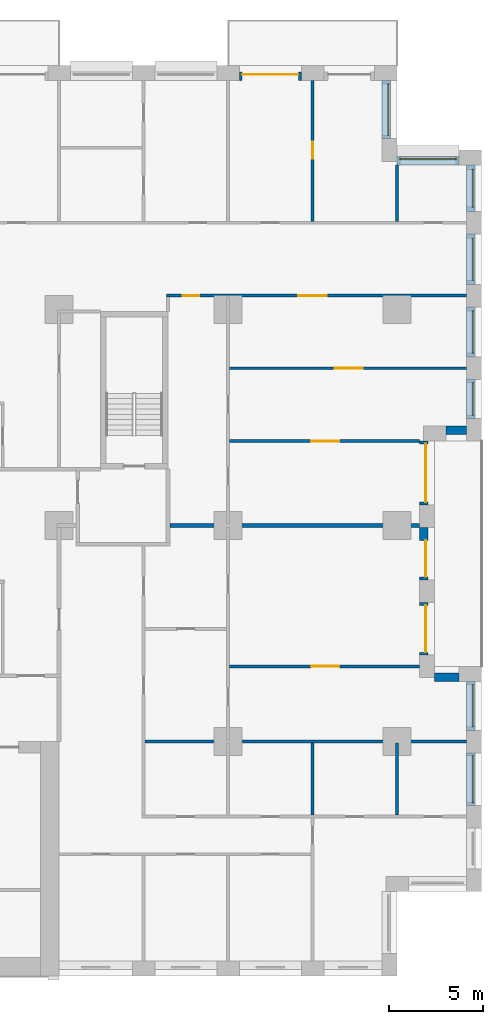
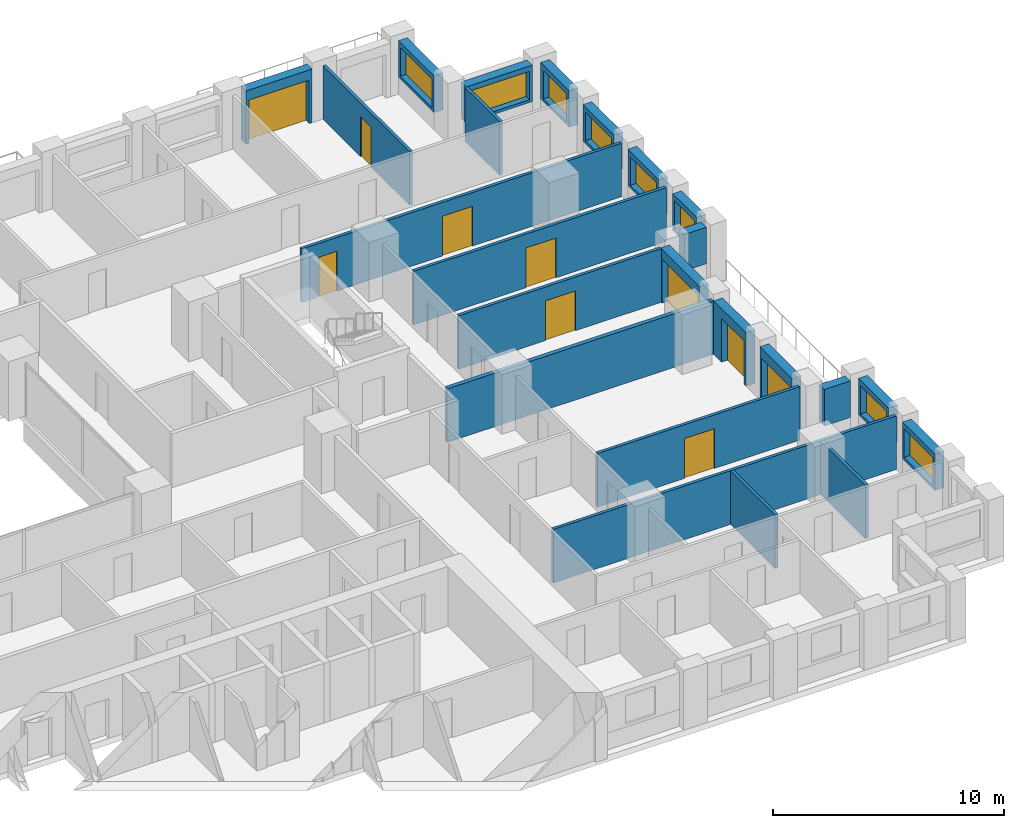
# One storey, part 16 of 19: 24 walls, 10 doors, 8 windows, 18 openings.
"""IFC4 building model written with IfcOpenShell, lengths in metres."""

import ifcopenshell
import ifcopenshell.guid

model = None  # the IFC model being written
_history = None  # IfcOwnerHistory: only IFC2X3 demands one
_inside = {}  # id of a spatial element -> (the spatial element, [elements in it])
_under = {}  # id of a project, library or spatial element -> (it, [spatial elements below it])
_declared = {}  # id of a project -> (the project, [libraries it declares])
_typed = {}  # id of a type object -> (the type object, [elements of that type])
_made_of = {}  # id of a material, layer set ... -> (it, [elements and type objects made of it])


def new_model(schema):
    """Start an empty IFC model of exactly this schema.

    Asked for "IFC4X3", IfcOpenShell would pick the latest addendum, in which some entities
    have other attributes; the version numbers below select the first issue.
    IFC2X3 requires an IfcOwnerHistory on every rooted entity: one is made here for all.
    """
    global model, _history
    if schema == "IFC4X3":
        model = ifcopenshell.file(schema_version=(4, 3, 0, 0))
    else:
        model = ifcopenshell.file(schema=schema)
    _inside.clear()
    _under.clear()
    _declared.clear()
    _typed.clear()
    _made_of.clear()
    _history = None
    if model.schema == "IFC2X3":
        org = make("IfcOrganization", Name="unknown")
        user = make(
            "IfcPersonAndOrganization",
            ThePerson=make("IfcPerson", FamilyName="unknown"),
            TheOrganization=org,
        )
        app = make(
            "IfcApplication",
            ApplicationDeveloper=org,
            Version="unknown",
            ApplicationFullName="unknown",
            ApplicationIdentifier="unknown",
        )
        _history = make(
            "IfcOwnerHistory",
            OwningUser=user,
            OwningApplication=app,
            ChangeAction="ADDED",
            CreationDate=0,
        )
    return model


def make(cls, **values):
    """One entity of the class cls with the attributes given. An attribute that is None is left unset."""
    return model.create_entity(
        cls, **{name: value for name, value in values.items() if value is not None}
    )


def rooted(cls, **values):
    """An entity with a GlobalId (a new one), such as an element, a storey or a relation."""
    return make(cls, GlobalId=ifcopenshell.guid.new(), OwnerHistory=_history, **values)


def si_unit(unit_type, name, prefix=None):
    """IfcSIUnit, for example si_unit("LENGTHUNIT", "METRE", prefix="MILLI")."""
    return make("IfcSIUnit", UnitType=unit_type, Prefix=prefix, Name=name)


def assignment(units):
    """IfcUnitAssignment: the units of a project."""
    return None if units is None else make("IfcUnitAssignment", Units=units)


def point(xyz):
    """IfcCartesianPoint."""
    return None if xyz is None else make("IfcCartesianPoint", Coordinates=xyz)


def direction(xyz):
    """IfcDirection."""
    return None if xyz is None else make("IfcDirection", DirectionRatios=xyz)


def frame(location, z_axis=None, x_axis=None):
    """IfcAxis2Placement3D, a coordinate frame: its origin and axes. An axis left out is left unset."""
    return make(
        "IfcAxis2Placement3D",
        Location=point(location),
        Axis=direction(z_axis),
        RefDirection=direction(x_axis),
    )


def frame_2d(location, x_axis=None):
    """IfcAxis2Placement2D, a coordinate frame in the plane: its origin and x axis."""
    return make(
        "IfcAxis2Placement2D", Location=point(location), RefDirection=direction(x_axis)
    )


def origin():
    """The frame at (0, 0, 0) with its axes left unset."""
    return frame((0.0, 0.0, 0.0))


def place(relative_to, where):
    """IfcLocalPlacement: puts the frame where relative to a parent placement (None: the world)."""
    return make(
        "IfcLocalPlacement", PlacementRelTo=relative_to, RelativePlacement=where
    )


def context(
    kind, dimensions, precision=None, world=None, true_north=None, identifier=None
):
    """IfcGeometricRepresentationContext, for example the 3D "Model" context."""
    return make(
        "IfcGeometricRepresentationContext",
        ContextIdentifier=identifier,
        ContextType=kind,
        CoordinateSpaceDimension=dimensions,
        Precision=precision,
        WorldCoordinateSystem=world,
        TrueNorth=true_north,
    )


def subcontext(parent, identifier, kind, view, scale=None):
    """IfcGeometricRepresentationSubContext, for example "Body" below "Model"."""
    return make(
        "IfcGeometricRepresentationSubContext",
        ContextIdentifier=identifier,
        ContextType=kind,
        ParentContext=parent,
        TargetScale=scale,
        TargetView=view,
    )


def project(units=None, contexts=None):
    """IfcProject with its units and contexts."""
    return rooted(
        "IfcProject",
        Name="project",
        RepresentationContexts=contexts,
        UnitsInContext=assignment(units),
    )


def spatial(cls, under=None, at=None, **own):
    """A site, building, storey or space (cls), placed at a placement, below another one or the project."""
    s = rooted(cls, ObjectPlacement=at, **own)
    if under is not None:
        _under.setdefault(under.id(), (under, []))[1].append(s)
    return s


def profile(cls, at=None, kind="AREA", **sizes):
    """A parametric profile (cls). Its sizes go by their IFC names, for example OverallWidth=200.0."""
    return make(cls, ProfileType=kind, Position=at, **sizes)


def rectangle(**sizes):
    """IfcRectangleProfileDef."""
    return profile("IfcRectangleProfileDef", **sizes)


def extrude(swept, where, along, depth):
    """IfcExtrudedAreaSolid: the profile swept, set in the frame where, extruded along a direction by depth."""
    return make(
        "IfcExtrudedAreaSolid",
        SweptArea=swept,
        Position=where,
        ExtrudedDirection=direction(along),
        Depth=depth,
    )


def shape(context_of_items, identifier, shape_type, items):
    """IfcShapeRepresentation: the items that make up one representation, for example the "Body"."""
    return make(
        "IfcShapeRepresentation",
        ContextOfItems=context_of_items,
        RepresentationIdentifier=identifier,
        RepresentationType=shape_type,
        Items=items,
    )


def material(Name=None, Category=None):
    """IfcMaterial."""
    return make("IfcMaterial", Name=Name, Category=Category)


def layer(
    of_material, thickness, ventilated=None, Name=None, Category=None, Priority=None
):
    """IfcMaterialLayer: one layer of a wall or slab, of a material (None: an air gap)."""
    return make(
        "IfcMaterialLayer",
        Material=of_material,
        LayerThickness=thickness,
        IsVentilated=ventilated,
        Name=Name,
        Category=Category,
        Priority=Priority,
    )


def layer_set(layers, Name=None):
    """IfcMaterialLayerSet."""
    return make("IfcMaterialLayerSet", MaterialLayers=layers, LayerSetName=Name)


def made_of(thing, what):
    """Note that an element or type object is made of a material, layer set ...; save() writes the relation."""
    if what is not None:
        _made_of.setdefault(what.id(), (what, []))[1].append(thing)
    return thing


def type_object(cls, material=None, **own):
    """A type object (cls), such as IfcWallType, which elements share."""
    return made_of(rooted(cls, **own), material)


def element(
    cls,
    number,
    at=None,
    inside=None,
    cuts=None,
    type_object=None,
    material=None,
    context=None,
    identifier="Body",
    shape_type=None,
    held_by="IfcProductDefinitionShape",
    body=None,
    shapes=None,
    **own,
):
    """One element of the class cls, such as IfcWall. Its Tag is "e" and its number.

    at: its placement. inside: the storey or other place that contains it. cuts: it is an
    opening in that element (IfcRelVoidsElement). A single representation is given by context,
    identifier, shape_type and body (its items); several are given by shapes. held_by: the class
    of the entity that holds the representations. save() writes the other relations.
    """
    e = rooted(cls, Tag="e%d" % number, ObjectPlacement=at, **own)
    if body is not None:
        shapes = [shape(context, identifier, shape_type, body)]
    if shapes is not None:
        e.Representation = make(held_by, Representations=shapes)
    if inside is not None:
        _inside.setdefault(inside.id(), (inside, []))[1].append(e)
    if cuts is not None:
        rooted(
            "IfcRelVoidsElement", RelatingBuildingElement=cuts, RelatedOpeningElement=e
        )
    if type_object is not None:
        _typed.setdefault(type_object.id(), (type_object, []))[1].append(e)
    return made_of(e, material)


def fill(opening, filler):
    """IfcRelFillsElement: the door or window that sits in an opening."""
    return rooted(
        "IfcRelFillsElement",
        RelatingOpeningElement=opening,
        RelatedBuildingElement=filler,
    )


def aggregate(whole, parts):
    """IfcRelAggregates: a whole, such as a stair, and the parts it consists of."""
    return rooted("IfcRelAggregates", RelatingObject=whole, RelatedObjects=parts)


def save(model, path):
    """Write the relations noted so far, then the file.

    IfcRelAggregates (storeys below a building ...), IfcRelContainedInSpatialStructure (elements
    in a storey), IfcRelDefinesByType, IfcRelAssociatesMaterial and IfcRelDeclares: one each for
    every whole, place, type object, material and project.
    """
    for whole, parts in _under.values():
        aggregate(whole, parts)
    for where, things in _inside.values():
        rooted(
            "IfcRelContainedInSpatialStructure",
            RelatedElements=things,
            RelatingStructure=where,
        )
    for kind, things in _typed.values():
        rooted("IfcRelDefinesByType", RelatedObjects=things, RelatingType=kind)
    for what, things in _made_of.values():
        rooted("IfcRelAssociatesMaterial", RelatedObjects=things, RelatingMaterial=what)
    for by, libraries in _declared.values():
        rooted("IfcRelDeclares", RelatingContext=by, RelatedDefinitions=libraries)
    model.write(path)


model = new_model("IFC4")

# Units and contexts
model_context = context("Model", 3, precision=1e-05, world=origin(), true_north=direction((0.0, 1.0)))
body_context = subcontext(model_context, "Body", "Model", "MODEL_VIEW")
ifc_project = project(units=[si_unit("LENGTHUNIT", "METRE"), si_unit("AREAUNIT", "SQUARE_METRE"), si_unit("VOLUMEUNIT", "CUBIC_METRE"), si_unit("PLANEANGLEUNIT", "RADIAN"), si_unit("MASSUNIT", "GRAM", prefix="KILO")], contexts=[model_context])

# Site, building, storey
site_placement = place(None, origin())
site = spatial("IfcSite", under=ifc_project, at=site_placement, CompositionType="ELEMENT")
building_placement = place(site_placement, origin())
building = spatial("IfcBuilding", under=site, at=building_placement, Name="Brigalow Station Residences", CompositionType="ELEMENT")
storey_placement = place(building_placement, frame((0.0, 0.0, 22.64990234375)))
storey = spatial("IfcBuildingStorey", under=building, at=storey_placement, Name="L05", CompositionType="ELEMENT", Elevation=22.64990234375)

# Wall, opening, window
ifc_material_1 = material(Name="Clay brick masonry", Category="masonry")
ifc_layer_1 = layer(ifc_material_1, 0.449951171875)
ifc_layer_set_1 = layer_set([ifc_layer_1], Name="BRICK INFILL WALL 450")
wall_type_1 = type_object("IfcWallType", Name="BRICK INFILL WALL 450", PredefinedType="SOLIDWALL", material=ifc_layer_set_1)
wall_1_placement = place(storey_placement, frame((75.925048828125, 9.10009765625, 0.900146484375), z_axis=(0.0, 0.0, 1.0), x_axis=(0.0, 1.0, 0.0)))
wall_1 = element("IfcWall", 1, at=wall_1_placement, inside=storey, type_object=wall_type_1, Name="L05/ewall/W-L05-12", PredefinedType="SOLIDWALL", context=body_context, shape_type="SweptSolid", body=[
    extrude(rectangle(XDim=2.7998046875, YDim=0.449951171875, at=frame_2d((1.39990234375, 0.0))), origin(), (0.0, 0.0, 1.0), 1.929931640625),
])
opening_1_placement = place(wall_1_placement, frame((0.14990234375, 0.0, 0.14990234375)))
opening_1 = element("IfcOpeningElement", 2, at=opening_1_placement, cuts=wall_1, Name="Opening WT-5", PredefinedType="OPENING", context=body_context, shape_type="SweptSolid", body=[
    extrude(rectangle(XDim=2.5, YDim=1.5, at=frame_2d((1.25, 0.75))), frame((0.0, 0.23486328125, 0.0), z_axis=(0.0, -1.0, 0.0), x_axis=(1.0, 0.0, 0.0)), (0.0, 0.0, 1.0), 0.469970703125),
])
ifc_material_2 = material(Name="Anodised aluminium frame with double glazing", Category="aluminium")
window_type_1 = type_object("IfcWindowType", Name="WINDOW 2500x1500", PartitioningType="SINGLE_PANEL", PredefinedType="WINDOW", material=ifc_material_2)
window_1_placement = place(opening_1_placement, origin())
window_1 = element("IfcWindow", 3, at=window_1_placement, inside=storey, type_object=window_type_1, Name="L05/window/W-L05-12", OverallHeight=1.5, OverallWidth=2.5, PartitioningType="SINGLE_PANEL", PredefinedType="WINDOW", context=body_context, shape_type="SweptSolid", body=[
    extrude(rectangle(XDim=2.5, YDim=1.5, at=frame_2d((1.25, 0.75))), frame((0.0, -0.06494140625, 0.0), z_axis=(0.0, -1.0, 0.0), x_axis=(1.0, 0.0, 0.0)), (0.0, 0.0, 1.0), 0.06005859375),
])
fill(opening_1, window_1)

wall_2_placement = place(storey_placement, frame((75.925048828125, 13.10009765625, 0.900146484375), z_axis=(0.0, 0.0, 1.0), x_axis=(0.0, 1.0, 0.0)))
wall_2 = element("IfcWall", 4, at=wall_2_placement, inside=storey, type_object=wall_type_1, Name="L05/ewall/W-L05-13", PredefinedType="SOLIDWALL", context=body_context, shape_type="SweptSolid", body=[
    extrude(rectangle(XDim=2.599853515625, YDim=0.449951171875, at=frame_2d((1.2998046875, 0.0))), origin(), (0.0, 0.0, 1.0), 1.929931640625),
])
opening_2_placement = place(wall_2_placement, frame((0.175048828125, 0.0, 0.14990234375)))
opening_2 = element("IfcOpeningElement", 5, at=opening_2_placement, cuts=wall_2, Name="Opening WT-6", PredefinedType="OPENING", context=body_context, shape_type="SweptSolid", body=[
    extrude(rectangle(XDim=2.25, YDim=1.5, at=frame_2d((1.125, 0.75))), frame((0.0, 0.23486328125, 0.0), z_axis=(0.0, -1.0, 0.0), x_axis=(1.0, 0.0, 0.0)), (0.0, 0.0, 1.0), 0.469970703125),
])
ifc_material_3 = material(Name="Anodised aluminium frame with double glazing", Category="aluminium")
window_type_2 = type_object("IfcWindowType", Name="WINDOW 2250x1500", PartitioningType="SINGLE_PANEL", PredefinedType="WINDOW", material=ifc_material_3)
window_2_placement = place(opening_2_placement, origin())
window_2 = element("IfcWindow", 6, at=window_2_placement, inside=storey, type_object=window_type_2, Name="L05/window/W-L05-13", OverallHeight=1.5, OverallWidth=2.25, PartitioningType="SINGLE_PANEL", PredefinedType="WINDOW", context=body_context, shape_type="SweptSolid", body=[
    extrude(rectangle(XDim=2.25, YDim=1.5, at=frame_2d((1.125, 0.75))), frame((0.0, -0.06494140625, 0.0), z_axis=(0.0, -1.0, 0.0), x_axis=(1.0, 0.0, 0.0)), (0.0, 0.0, 1.0), 0.06005859375),
])
fill(opening_2, window_2)

# Wall
wall_3_placement = place(storey_placement, frame((75.300048828125, 15.925048828125, 0.900146484375), z_axis=(0.0, 0.0, 1.0), x_axis=(-1.0, 0.0, 0.0)))
element("IfcWall", 7, at=wall_3_placement, inside=storey, type_object=wall_type_1, Name="L05/ewall/W-L05-14", PredefinedType="SOLIDWALL", context=body_context, shape_type="SweptSolid", body=[
    extrude(rectangle(XDim=1.300048828125, YDim=0.449951171875, at=frame_2d((0.64990234375, 0.0))), origin(), (0.0, 0.0, 1.0), 1.929931640625),
])

# Wall, opening, door
wall_4_placement = place(storey_placement, frame((73.425048828125, 17.10009765625, 0.0), z_axis=(0.0, 0.0, 1.0), x_axis=(0.0, 1.0, 0.0)))
wall_4 = element("IfcWall", 8, at=wall_4_placement, inside=storey, type_object=wall_type_1, Name="L05/ewall/W-L05-15", PredefinedType="SOLIDWALL", context=body_context, shape_type="SweptSolid", body=[
    extrude(rectangle(XDim=2.7998046875, YDim=0.449951171875, at=frame_2d((1.39990234375, 0.0))), origin(), (0.0, 0.0, 1.0), 2.830078125),
])
opening_3_placement = place(wall_4_placement, frame((0.14990234375, 0.0, 0.0)))
opening_3 = element("IfcOpeningElement", 9, at=opening_3_placement, cuts=wall_4, Name="Opening D-B2500", PredefinedType="OPENING", context=body_context, shape_type="SweptSolid", body=[
    extrude(rectangle(XDim=2.5, YDim=2.300048828125, at=frame_2d((1.25, 1.14990234375))), frame((0.0, 0.23486328125, 0.0), z_axis=(0.0, -1.0, 0.0), x_axis=(1.0, 0.0, 0.0)), (0.0, 0.0, 1.0), 0.469970703125),
])
ifc_material_4 = material(Name="Anodised aluminium frame with double glazing", Category="aluminium")
door_type_1 = type_object("IfcDoorType", Name="BALCONY SLIDING DOOR 2500x2300", OperationType="SLIDING_TO_LEFT", PredefinedType="DOOR", material=ifc_material_4)
door_1_placement = place(opening_3_placement, origin())
door_1 = element("IfcDoor", 10, at=door_1_placement, inside=storey, type_object=door_type_1, Name="L05/balcony-door/W-L05-15", OperationType="SLIDING_TO_LEFT", OverallHeight=2.300048828125, OverallWidth=2.5, PredefinedType="DOOR", context=body_context, shape_type="SweptSolid", body=[
    extrude(rectangle(XDim=2.5, YDim=2.300048828125, at=frame_2d((1.25, 1.14990234375))), frame((0.0, -0.06982421875, 0.0), z_axis=(0.0, -1.0, 0.0), x_axis=(1.0, 0.0, 0.0)), (0.0, 0.0, 1.0), 0.050048828125),
])
fill(opening_3, door_1)

wall_5_placement = place(storey_placement, frame((73.425048828125, 21.10009765625, 0.0), z_axis=(0.0, 0.0, 1.0), x_axis=(0.0, 1.0, 0.0)))
wall_5 = element("IfcWall", 11, at=wall_5_placement, inside=storey, type_object=wall_type_1, Name="L05/ewall/W-L05-16", PredefinedType="SOLIDWALL", context=body_context, shape_type="SweptSolid", body=[
    extrude(rectangle(XDim=2.7998046875, YDim=0.449951171875, at=frame_2d((1.39990234375, 0.0))), origin(), (0.0, 0.0, 1.0), 2.830078125),
])
opening_4_placement = place(wall_5_placement, frame((0.1650390625, 0.0, 0.0)))
opening_4 = element("IfcOpeningElement", 12, at=opening_4_placement, cuts=wall_5, Name="Opening D-B1950", PredefinedType="OPENING", context=body_context, shape_type="SweptSolid", body=[
    extrude(rectangle(XDim=1.949951171875, YDim=2.300048828125, at=frame_2d((0.97509765625, 1.14990234375))), frame((0.0, 0.23486328125, 0.0), z_axis=(0.0, -1.0, 0.0), x_axis=(1.0, 0.0, 0.0)), (0.0, 0.0, 1.0), 0.469970703125),
])
ifc_material_5 = material(Name="Anodised aluminium frame with double glazing", Category="aluminium")
door_type_2 = type_object("IfcDoorType", Name="BALCONY SLIDING DOOR 1950x2300", OperationType="SLIDING_TO_LEFT", PredefinedType="DOOR", material=ifc_material_5)
door_2_placement = place(opening_4_placement, origin())
door_2 = element("IfcDoor", 13, at=door_2_placement, inside=storey, type_object=door_type_2, Name="L05/balcony-door/W-L05-16", OperationType="SLIDING_TO_LEFT", OverallHeight=2.300048828125, OverallWidth=1.949951171875, PredefinedType="DOOR", context=body_context, shape_type="SweptSolid", body=[
    extrude(rectangle(XDim=1.949951171875, YDim=2.300048828125, at=frame_2d((0.97509765625, 1.14990234375))), frame((0.0, -0.06982421875, 0.0), z_axis=(0.0, -1.0, 0.0), x_axis=(1.0, 0.0, 0.0)), (0.0, 0.0, 1.0), 0.050048828125),
])
fill(opening_4, door_2)

wall_6_placement = place(storey_placement, frame((73.425048828125, 25.10009765625, 0.0), z_axis=(0.0, 0.0, 1.0), x_axis=(0.0, 1.0, 0.0)))
wall_6 = element("IfcWall", 14, at=wall_6_placement, inside=storey, type_object=wall_type_1, Name="L05/ewall/W-L05-17", PredefinedType="SOLIDWALL", context=body_context, shape_type="SweptSolid", body=[
    extrude(rectangle(XDim=3.39990234375, YDim=0.449951171875, at=frame_2d((1.699951171875, 0.0))), origin(), (0.0, 0.0, 1.0), 2.830078125),
])
opening_5_placement = place(wall_6_placement, frame((0.14990234375, 0.0, 0.0)))
opening_5 = element("IfcOpeningElement", 15, at=opening_5_placement, cuts=wall_6, Name="Opening D-B3100", PredefinedType="OPENING", context=body_context, shape_type="SweptSolid", body=[
    extrude(rectangle(XDim=3.10009765625, YDim=2.300048828125, at=frame_2d((1.550048828125, 1.14990234375))), frame((0.0, 0.23486328125, 0.0), z_axis=(0.0, -1.0, 0.0), x_axis=(1.0, 0.0, 0.0)), (0.0, 0.0, 1.0), 0.469970703125),
])
ifc_material_6 = material(Name="Anodised aluminium frame with double glazing", Category="aluminium")
door_type_3 = type_object("IfcDoorType", Name="BALCONY SLIDING DOOR 3100x2300", OperationType="SLIDING_TO_LEFT", PredefinedType="DOOR", material=ifc_material_6)
door_3_placement = place(opening_5_placement, origin())
door_3 = element("IfcDoor", 16, at=door_3_placement, inside=storey, type_object=door_type_3, Name="L05/balcony-door/W-L05-17", OperationType="SLIDING_TO_LEFT", OverallHeight=2.300048828125, OverallWidth=3.10009765625, PredefinedType="DOOR", context=body_context, shape_type="SweptSolid", body=[
    extrude(rectangle(XDim=3.10009765625, YDim=2.300048828125, at=frame_2d((1.550048828125, 1.14990234375))), frame((0.0, -0.06982421875, 0.0), z_axis=(0.0, -1.0, 0.0), x_axis=(1.0, 0.0, 0.0)), (0.0, 0.0, 1.0), 0.050048828125),
])
fill(opening_5, door_3)

# Wall
wall_7_placement = place(storey_placement, frame((74.60009765625, 29.074951171875, 0.900146484375), z_axis=(0.0, 0.0, 1.0), x_axis=(1.0, 0.0, 0.0)))
element("IfcWall", 17, at=wall_7_placement, inside=storey, type_object=wall_type_1, Name="L05/ewall/W-L05-18", PredefinedType="SOLIDWALL", context=body_context, shape_type="SweptSolid", body=[
    extrude(rectangle(XDim=1.099853515625, YDim=0.449951171875, at=frame_2d((0.5498046875, 0.0))), origin(), (0.0, 0.0, 1.0), 1.929931640625),
])

# Wall, opening, window
wall_8_placement = place(storey_placement, frame((75.925048828125, 29.699951171875, 0.900146484375), z_axis=(0.0, 0.0, 1.0), x_axis=(0.0, 1.0, 0.0)))
wall_8 = element("IfcWall", 18, at=wall_8_placement, inside=storey, type_object=wall_type_1, Name="L05/ewall/W-L05-19", PredefinedType="SOLIDWALL", context=body_context, shape_type="SweptSolid", body=[
    extrude(rectangle(XDim=2.074951171875, YDim=0.449951171875, at=frame_2d((1.03759765625, 0.0))), origin(), (0.0, 0.0, 1.0), 1.929931640625),
])
opening_6_placement = place(wall_8_placement, frame((0.16259765625, 0.0, 0.14990234375)))
opening_6 = element("IfcOpeningElement", 19, at=opening_6_placement, cuts=wall_8, Name="Opening WT-4", PredefinedType="OPENING", context=body_context, shape_type="SweptSolid", body=[
    extrude(rectangle(XDim=1.75, YDim=1.5, at=frame_2d((0.875, 0.75))), frame((0.0, 0.23486328125, 0.0), z_axis=(0.0, -1.0, 0.0), x_axis=(1.0, 0.0, 0.0)), (0.0, 0.0, 1.0), 0.469970703125),
])
ifc_material_7 = material(Name="Anodised aluminium frame with double glazing", Category="aluminium")
window_type_3 = type_object("IfcWindowType", Name="WINDOW 1750x1500", PartitioningType="SINGLE_PANEL", PredefinedType="WINDOW", material=ifc_material_7)
window_3_placement = place(opening_6_placement, origin())
window_3 = element("IfcWindow", 20, at=window_3_placement, inside=storey, type_object=window_type_3, Name="L05/window/W-L05-19", OverallHeight=1.5, OverallWidth=1.75, PartitioningType="SINGLE_PANEL", PredefinedType="WINDOW", context=body_context, shape_type="SweptSolid", body=[
    extrude(rectangle(XDim=1.75, YDim=1.5, at=frame_2d((0.875, 0.75))), frame((0.0, -0.06494140625, 0.0), z_axis=(0.0, -1.0, 0.0), x_axis=(1.0, 0.0, 0.0)), (0.0, 0.0, 1.0), 0.06005859375),
])
fill(opening_6, window_3)

wall_9_placement = place(storey_placement, frame((75.925048828125, 32.97509765625, 0.900146484375), z_axis=(0.0, 0.0, 1.0), x_axis=(0.0, 1.0, 0.0)))
wall_9 = element("IfcWall", 21, at=wall_9_placement, inside=storey, type_object=wall_type_1, Name="L05/ewall/W-L05-20", PredefinedType="SOLIDWALL", context=body_context, shape_type="SweptSolid", body=[
    extrude(rectangle(XDim=2.6748046875, YDim=0.449951171875, at=frame_2d((1.33740234375, 0.0))), origin(), (0.0, 0.0, 1.0), 1.929931640625),
])
opening_7_placement = place(wall_9_placement, frame((0.21240234375, 0.0, 0.14990234375)))
opening_7 = element("IfcOpeningElement", 22, at=opening_7_placement, cuts=wall_9, Name="Opening WT-6", PredefinedType="OPENING", context=body_context, shape_type="SweptSolid", body=[
    extrude(rectangle(XDim=2.25, YDim=1.5, at=frame_2d((1.125, 0.75))), frame((0.0, 0.23486328125, 0.0), z_axis=(0.0, -1.0, 0.0), x_axis=(1.0, 0.0, 0.0)), (0.0, 0.0, 1.0), 0.469970703125),
])
window_4_placement = place(opening_7_placement, origin())
window_4 = element("IfcWindow", 23, at=window_4_placement, inside=storey, type_object=window_type_2, Name="L05/window/W-L05-20", OverallHeight=1.5, OverallWidth=2.25, PartitioningType="SINGLE_PANEL", PredefinedType="WINDOW", context=body_context, shape_type="SweptSolid", body=[
    extrude(rectangle(XDim=2.25, YDim=1.5, at=frame_2d((1.125, 0.75))), frame((0.0, -0.06494140625, 0.0), z_axis=(0.0, -1.0, 0.0), x_axis=(1.0, 0.0, 0.0)), (0.0, 0.0, 1.0), 0.06005859375),
])
fill(opening_7, window_4)

wall_10_placement = place(storey_placement, frame((75.925048828125, 36.85009765625, 0.900146484375), z_axis=(0.0, 0.0, 1.0), x_axis=(0.0, 1.0, 0.0)))
wall_10 = element("IfcWall", 24, at=wall_10_placement, inside=storey, type_object=wall_type_1, Name="L05/ewall/W-L05-21", PredefinedType="SOLIDWALL", context=body_context, shape_type="SweptSolid", body=[
    extrude(rectangle(XDim=2.6748046875, YDim=0.449951171875, at=frame_2d((1.33740234375, 0.0))), origin(), (0.0, 0.0, 1.0), 1.929931640625),
])
opening_8_placement = place(wall_10_placement, frame((0.21240234375, 0.0, 0.14990234375)))
opening_8 = element("IfcOpeningElement", 25, at=opening_8_placement, cuts=wall_10, Name="Opening WT-6", PredefinedType="OPENING", context=body_context, shape_type="SweptSolid", body=[
    extrude(rectangle(XDim=2.25, YDim=1.5, at=frame_2d((1.125, 0.75))), frame((0.0, 0.23486328125, 0.0), z_axis=(0.0, -1.0, 0.0), x_axis=(1.0, 0.0, 0.0)), (0.0, 0.0, 1.0), 0.469970703125),
])
window_5_placement = place(opening_8_placement, origin())
window_5 = element("IfcWindow", 26, at=window_5_placement, inside=storey, type_object=window_type_2, Name="L05/window/W-L05-21", OverallHeight=1.5, OverallWidth=2.25, PartitioningType="SINGLE_PANEL", PredefinedType="WINDOW", context=body_context, shape_type="SweptSolid", body=[
    extrude(rectangle(XDim=2.25, YDim=1.5, at=frame_2d((1.125, 0.75))), frame((0.0, -0.06494140625, 0.0), z_axis=(0.0, -1.0, 0.0), x_axis=(1.0, 0.0, 0.0)), (0.0, 0.0, 1.0), 0.06005859375),
])
fill(opening_8, window_5)

wall_11_placement = place(storey_placement, frame((75.925048828125, 40.72509765625, 0.900146484375), z_axis=(0.0, 0.0, 1.0), x_axis=(0.0, 1.0, 0.0)))
wall_11 = element("IfcWall", 27, at=wall_11_placement, inside=storey, type_object=wall_type_1, Name="L05/ewall/W-L05-22", PredefinedType="SOLIDWALL", context=body_context, shape_type="SweptSolid", body=[
    extrude(rectangle(XDim=2.474853515625, YDim=0.449951171875, at=frame_2d((1.2373046875, 0.0))), origin(), (0.0, 0.0, 1.0), 1.929931640625),
])
opening_9_placement = place(wall_11_placement, frame((0.237548828125, 0.0, 0.14990234375)))
opening_9 = element("IfcOpeningElement", 28, at=opening_9_placement, cuts=wall_11, Name="Opening WT-7", PredefinedType="OPENING", context=body_context, shape_type="SweptSolid", body=[
    extrude(rectangle(XDim=2.0, YDim=1.5, at=frame_2d((1.0, 0.75))), frame((0.0, 0.23486328125, 0.0), z_axis=(0.0, -1.0, 0.0), x_axis=(1.0, 0.0, 0.0)), (0.0, 0.0, 1.0), 0.469970703125),
])
ifc_material_8 = material(Name="Anodised aluminium frame with double glazing", Category="aluminium")
window_type_4 = type_object("IfcWindowType", Name="WINDOW 2000x1500", PartitioningType="SINGLE_PANEL", PredefinedType="WINDOW", material=ifc_material_8)
window_6_placement = place(opening_9_placement, origin())
window_6 = element("IfcWindow", 29, at=window_6_placement, inside=storey, type_object=window_type_4, Name="L05/window/W-L05-22", OverallHeight=1.5, OverallWidth=2.0, PartitioningType="SINGLE_PANEL", PredefinedType="WINDOW", context=body_context, shape_type="SweptSolid", body=[
    extrude(rectangle(XDim=2.0, YDim=1.5, at=frame_2d((1.0, 0.75))), frame((0.0, -0.06494140625, 0.0), z_axis=(0.0, -1.0, 0.0), x_axis=(1.0, 0.0, 0.0)), (0.0, 0.0, 1.0), 0.06005859375),
])
fill(opening_9, window_6)

wall_12_placement = place(storey_placement, frame((75.300048828125, 43.425048828125, 0.900146484375), z_axis=(0.0, 0.0, 1.0), x_axis=(-1.0, 0.0, 0.0)))
wall_12 = element("IfcWall", 30, at=wall_12_placement, inside=storey, type_object=wall_type_1, Name="L05/ewall/W-L05-23", PredefinedType="SOLIDWALL", context=body_context, shape_type="SweptSolid", body=[
    extrude(rectangle(XDim=3.300048828125, YDim=0.449951171875, at=frame_2d((1.64990234375, 0.0))), origin(), (0.0, 0.0, 1.0), 1.929931640625),
])
opening_10_placement = place(wall_12_placement, frame((0.14990234375, 0.0, 0.14990234375)))
opening_10 = element("IfcOpeningElement", 31, at=opening_10_placement, cuts=wall_12, Name="Opening WT-2", PredefinedType="OPENING", context=body_context, shape_type="SweptSolid", body=[
    extrude(rectangle(XDim=3.0, YDim=1.5, at=frame_2d((1.5, 0.75))), frame((0.0, 0.23486328125, 0.0), z_axis=(0.0, -1.0, 0.0), x_axis=(1.0, 0.0, 0.0)), (0.0, 0.0, 1.0), 0.469970703125),
])
ifc_material_9 = material(Name="Anodised aluminium frame with double glazing", Category="aluminium")
window_type_5 = type_object("IfcWindowType", Name="WINDOW 3000x1500", PartitioningType="SINGLE_PANEL", PredefinedType="WINDOW", material=ifc_material_9)
window_7_placement = place(opening_10_placement, origin())
window_7 = element("IfcWindow", 32, at=window_7_placement, inside=storey, type_object=window_type_5, Name="L05/window/W-L05-23", OverallHeight=1.5, OverallWidth=3.0, PartitioningType="SINGLE_PANEL", PredefinedType="WINDOW", context=body_context, shape_type="SweptSolid", body=[
    extrude(rectangle(XDim=3.0, YDim=1.5, at=frame_2d((1.5, 0.75))), frame((0.0, -0.06494140625, 0.0), z_axis=(0.0, -1.0, 0.0), x_axis=(1.0, 0.0, 0.0)), (0.0, 0.0, 1.0), 0.06005859375),
])
fill(opening_10, window_7)

wall_13_placement = place(storey_placement, frame((71.425048828125, 44.60009765625, 0.900146484375), z_axis=(0.0, 0.0, 1.0), x_axis=(0.0, 1.0, 0.0)))
wall_13 = element("IfcWall", 33, at=wall_13_placement, inside=storey, type_object=wall_type_1, Name="L05/ewall/W-L05-24", PredefinedType="SOLIDWALL", context=body_context, shape_type="SweptSolid", body=[
    extrude(rectangle(XDim=3.099853515625, YDim=0.449951171875, at=frame_2d((1.5498046875, 0.0))), origin(), (0.0, 0.0, 1.0), 1.929931640625),
])
opening_11_placement = place(wall_13_placement, frame((0.175048828125, 0.0, 0.14990234375)))
opening_11 = element("IfcOpeningElement", 34, at=opening_11_placement, cuts=wall_13, Name="Opening WT-3", PredefinedType="OPENING", context=body_context, shape_type="SweptSolid", body=[
    extrude(rectangle(XDim=2.75, YDim=1.5, at=frame_2d((1.375, 0.75))), frame((0.0, 0.23486328125, 0.0), z_axis=(0.0, -1.0, 0.0), x_axis=(1.0, 0.0, 0.0)), (0.0, 0.0, 1.0), 0.469970703125),
])
ifc_material_10 = material(Name="Anodised aluminium frame with double glazing", Category="aluminium")
window_type_6 = type_object("IfcWindowType", Name="WINDOW 2750x1500", PartitioningType="SINGLE_PANEL", PredefinedType="WINDOW", material=ifc_material_10)
window_8_placement = place(opening_11_placement, origin())
window_8 = element("IfcWindow", 35, at=window_8_placement, inside=storey, type_object=window_type_6, Name="L05/window/W-L05-24", OverallHeight=1.5, OverallWidth=2.75, PartitioningType="SINGLE_PANEL", PredefinedType="WINDOW", context=body_context, shape_type="SweptSolid", body=[
    extrude(rectangle(XDim=2.75, YDim=1.5, at=frame_2d((1.375, 0.75))), frame((0.0, -0.06494140625, 0.0), z_axis=(0.0, -1.0, 0.0), x_axis=(1.0, 0.0, 0.0)), (0.0, 0.0, 1.0), 0.06005859375),
])
fill(opening_11, window_8)

# Wall, opening, door
wall_14_placement = place(storey_placement, frame((66.89990234375, 47.925048828125, 0.0), z_axis=(0.0, 0.0, 1.0), x_axis=(-1.0, 0.0, 0.0)))
wall_14 = element("IfcWall", 36, at=wall_14_placement, inside=storey, type_object=wall_type_1, Name="L05/ewall/W-L05-26", PredefinedType="SOLIDWALL", context=body_context, shape_type="SweptSolid", body=[
    extrude(rectangle(XDim=3.2998046875, YDim=0.449951171875, at=frame_2d((1.64990234375, 0.0))), origin(), (0.0, 0.0, 1.0), 2.830078125),
])
opening_12_placement = place(wall_14_placement, frame((0.14990234375, 0.0, 0.0)))
opening_12 = element("IfcOpeningElement", 37, at=opening_12_placement, cuts=wall_14, Name="Opening D-B3000", PredefinedType="OPENING", context=body_context, shape_type="SweptSolid", body=[
    extrude(rectangle(XDim=3.0, YDim=2.300048828125, at=frame_2d((1.5, 1.14990234375))), frame((0.0, 0.23486328125, 0.0), z_axis=(0.0, -1.0, 0.0), x_axis=(1.0, 0.0, 0.0)), (0.0, 0.0, 1.0), 0.469970703125),
])
ifc_material_11 = material(Name="Anodised aluminium frame with double glazing", Category="aluminium")
door_type_4 = type_object("IfcDoorType", Name="BALCONY SLIDING DOOR 3000x2300", OperationType="SLIDING_TO_LEFT", PredefinedType="DOOR", material=ifc_material_11)
door_4_placement = place(opening_12_placement, origin())
door_4 = element("IfcDoor", 38, at=door_4_placement, inside=storey, type_object=door_type_4, Name="L05/balcony-door/W-L05-26", OperationType="SLIDING_TO_LEFT", OverallHeight=2.300048828125, OverallWidth=3.0, PredefinedType="DOOR", context=body_context, shape_type="SweptSolid", body=[
    extrude(rectangle(XDim=3.0, YDim=2.300048828125, at=frame_2d((1.5, 1.14990234375))), frame((0.0, -0.06982421875, 0.0), z_axis=(0.0, -1.0, 0.0), x_axis=(1.0, 0.0, 0.0)), (0.0, 0.0, 1.0), 0.050048828125),
])
fill(opening_12, door_4)

# Wall
ifc_material_12 = material(Name="Plasterboard on steel stud partition", Category="steel")
ifc_layer_2 = layer(ifc_material_12, 0.14990234375)
ifc_layer_set_2 = layer_set([ifc_layer_2], Name="FLAT PARTITION 150")
wall_type_2 = type_object("IfcWallType", Name="FLAT PARTITION 150", PredefinedType="PARTITIONING", material=ifc_layer_set_2)
wall_15_placement = place(storey_placement, frame((58.574951171875, 12.5, 0.0), z_axis=(0.0, 0.0, 1.0), x_axis=(1.0, 0.0, 0.0)))
element("IfcWall", 39, at=wall_15_placement, inside=storey, type_object=wall_type_2, Name="PW-1A12", PredefinedType="PARTITIONING", context=body_context, shape_type="SweptSolid", body=[
    extrude(rectangle(XDim=17.125, YDim=0.14990234375, at=frame_2d((8.5625, 0.0))), origin(), (0.0, 0.0, 1.0), 2.830078125),
])

# Wall, opening, door
wall_16_placement = place(storey_placement, frame((63.074951171875, 32.375, 0.0), z_axis=(0.0, 0.0, 1.0), x_axis=(1.0, 0.0, 0.0)))
wall_16 = element("IfcWall", 40, at=wall_16_placement, inside=storey, type_object=wall_type_2, Name="PW-1A17", PredefinedType="PARTITIONING", context=body_context, shape_type="SweptSolid", body=[
    extrude(rectangle(XDim=12.625, YDim=0.14990234375, at=frame_2d((6.3125, 0.0))), origin(), (0.0, 0.0, 1.0), 2.830078125),
])
opening_13_placement = place(wall_16_placement, frame((5.60009765625, 0.0, 0.0)))
opening_13 = element("IfcOpeningElement", 41, at=opening_13_placement, cuts=wall_16, Name="Opening D-1A46", PredefinedType="OPENING", context=body_context, shape_type="SweptSolid", body=[
    extrude(rectangle(XDim=1.5, YDim=2.10009765625, at=frame_2d((0.75, 1.050048828125))), frame((0.0, 0.0849609375, 0.0), z_axis=(0.0, -1.0, 0.0), x_axis=(1.0, 0.0, 0.0)), (0.0, 0.0, 1.0), 0.169921875),
])
ifc_material_13 = material(Name="Solid-core timber door leaf", Category="wood")
door_type_5 = type_object("IfcDoorType", Name="INTERNAL DOUBLE DOOR 1500 x 2100", OperationType="DOUBLE_DOOR_SINGLE_SWING", PredefinedType="DOOR", material=ifc_material_13)
door_5_placement = place(opening_13_placement, frame((1.5, 0.0, 0.0), z_axis=(0.0, 0.0, 1.0), x_axis=(-1.0, 0.0, 0.0)))
door_5 = element("IfcDoor", 42, at=door_5_placement, inside=storey, type_object=door_type_5, Name="D-1A46", OperationType="DOUBLE_DOOR_SINGLE_SWING", OverallHeight=2.10009765625, OverallWidth=1.5, PredefinedType="DOOR", context=body_context, shape_type="SweptSolid", body=[
    extrude(rectangle(XDim=1.5, YDim=2.10009765625, at=frame_2d((0.75, 1.050048828125))), frame((0.0, 0.02490234375, 0.0), z_axis=(0.0, -1.0, 0.0), x_axis=(1.0, 0.0, 0.0)), (0.0, 0.0, 1.0), 0.050048828125),
])
fill(opening_13, door_5)

# Wall, openings, doors
wall_17_placement = place(storey_placement, frame((59.72509765625, 36.25, 0.0), z_axis=(0.0, 0.0, 1.0), x_axis=(1.0, 0.0, 0.0)))
wall_17 = element("IfcWall", 43, at=wall_17_placement, inside=storey, type_object=wall_type_2, Name="PW-1A19", PredefinedType="PARTITIONING", context=body_context, shape_type="SweptSolid", body=[
    extrude(rectangle(XDim=15.974853515625, YDim=0.14990234375, at=frame_2d((7.9873046875, 0.0))), origin(), (0.0, 0.0, 1.0), 2.830078125),
])
opening_14_placement = place(wall_17_placement, frame((7.02490234375, 0.0, 0.0)))
opening_14 = element("IfcOpeningElement", 44, at=opening_14_placement, cuts=wall_17, Name="Opening D-1A47", PredefinedType="OPENING", context=body_context, shape_type="SweptSolid", body=[
    extrude(rectangle(XDim=1.5, YDim=2.10009765625, at=frame_2d((0.75, 1.050048828125))), frame((0.0, 0.0849609375, 0.0), z_axis=(0.0, -1.0, 0.0), x_axis=(1.0, 0.0, 0.0)), (0.0, 0.0, 1.0), 0.169921875),
])
opening_15_placement = place(wall_17_placement, frame((0.85009765625, 0.0, 0.0)))
opening_15 = element("IfcOpeningElement", 45, at=opening_15_placement, cuts=wall_17, Name="Opening D-1A50", PredefinedType="OPENING", context=body_context, shape_type="SweptSolid", body=[
    extrude(rectangle(XDim=0.89990234375, YDim=2.10009765625, at=frame_2d((0.449951171875, 1.050048828125))), frame((0.0, 0.0849609375, 0.0), z_axis=(0.0, -1.0, 0.0), x_axis=(1.0, 0.0, 0.0)), (0.0, 0.0, 1.0), 0.169921875),
])
ifc_material_14 = material(Name="Solid-core timber door leaf", Category="wood")
door_type_6 = type_object("IfcDoorType", Name="INTERNAL DOOR 900 x 2100", OperationType="SINGLE_SWING_LEFT", PredefinedType="DOOR", material=ifc_material_14)
door_6_placement = place(opening_15_placement, frame((0.89990234375, 0.0, 0.0), z_axis=(0.0, 0.0, 1.0), x_axis=(-1.0, 0.0, 0.0)))
door_6 = element("IfcDoor", 46, at=door_6_placement, inside=storey, type_object=door_type_6, Name="D-1A50", OperationType="SINGLE_SWING_RIGHT", OverallHeight=2.10009765625, OverallWidth=0.89990234375, PredefinedType="DOOR", context=body_context, shape_type="SweptSolid", body=[
    extrude(rectangle(XDim=0.89990234375, YDim=2.10009765625, at=frame_2d((0.449951171875, 1.050048828125))), frame((0.0, 0.02490234375, 0.0), z_axis=(0.0, -1.0, 0.0), x_axis=(1.0, 0.0, 0.0)), (0.0, 0.0, 1.0), 0.050048828125),
])
fill(opening_15, door_6)
door_7_placement = place(opening_14_placement, frame((1.5, 0.0, 0.0), z_axis=(0.0, 0.0, 1.0), x_axis=(-1.0, 0.0, 0.0)))
door_7 = element("IfcDoor", 47, at=door_7_placement, inside=storey, type_object=door_type_5, Name="D-1A47", OperationType="DOUBLE_DOOR_SINGLE_SWING", OverallHeight=2.10009765625, OverallWidth=1.5, PredefinedType="DOOR", context=body_context, shape_type="SweptSolid", body=[
    extrude(rectangle(XDim=1.5, YDim=2.10009765625, at=frame_2d((0.75, 1.050048828125))), frame((0.0, 0.02490234375, 0.0), z_axis=(0.0, -1.0, 0.0), x_axis=(1.0, 0.0, 0.0)), (0.0, 0.0, 1.0), 0.050048828125),
])
fill(opening_14, door_7)

# Wall, opening, door
wall_18_placement = place(storey_placement, frame((63.074951171875, 16.5, 0.0), z_axis=(0.0, 0.0, 1.0), x_axis=(1.0, 0.0, 0.0)))
wall_18 = element("IfcWall", 48, at=wall_18_placement, inside=storey, type_object=wall_type_2, Name="PW-1A29", PredefinedType="PARTITIONING", context=body_context, shape_type="SweptSolid", body=[
    extrude(rectangle(XDim=10.125, YDim=0.14990234375, at=frame_2d((5.0625, 0.0))), origin(), (0.0, 0.0, 1.0), 2.830078125),
])
opening_16_placement = place(wall_18_placement, frame((4.35009765625, 0.0, 0.0)))
opening_16 = element("IfcOpeningElement", 49, at=opening_16_placement, cuts=wall_18, Name="Opening D-1A43", PredefinedType="OPENING", context=body_context, shape_type="SweptSolid", body=[
    extrude(rectangle(XDim=1.5, YDim=2.10009765625, at=frame_2d((0.75, 1.050048828125))), frame((0.0, 0.0849609375, 0.0), z_axis=(0.0, -1.0, 0.0), x_axis=(1.0, 0.0, 0.0)), (0.0, 0.0, 1.0), 0.169921875),
])
door_8_placement = place(opening_16_placement, frame((1.5, 0.0, 0.0), z_axis=(0.0, 0.0, 1.0), x_axis=(-1.0, 0.0, 0.0)))
door_8 = element("IfcDoor", 50, at=door_8_placement, inside=storey, type_object=door_type_5, Name="D-1A43", OperationType="DOUBLE_DOOR_SINGLE_SWING", OverallHeight=2.10009765625, OverallWidth=1.5, PredefinedType="DOOR", context=body_context, shape_type="SweptSolid", body=[
    extrude(rectangle(XDim=1.5, YDim=2.10009765625, at=frame_2d((0.75, 1.050048828125))), frame((0.0, 0.02490234375, 0.0), z_axis=(0.0, -1.0, 0.0), x_axis=(1.0, 0.0, 0.0)), (0.0, 0.0, 1.0), 0.050048828125),
])
fill(opening_16, door_8)

wall_19_placement = place(storey_placement, frame((63.074951171875, 28.5, 0.0), z_axis=(0.0, 0.0, 1.0), x_axis=(1.0, 0.0, 0.0)))
wall_19 = element("IfcWall", 51, at=wall_19_placement, inside=storey, type_object=wall_type_2, Name="PW-1A30", PredefinedType="PARTITIONING", context=body_context, shape_type="SweptSolid", body=[
    extrude(rectangle(XDim=10.125, YDim=0.14990234375, at=frame_2d((5.0625, 0.0))), origin(), (0.0, 0.0, 1.0), 2.830078125),
])
opening_17_placement = place(wall_19_placement, frame((4.35009765625, 0.0, 0.0)))
opening_17 = element("IfcOpeningElement", 52, at=opening_17_placement, cuts=wall_19, Name="Opening D-1A45", PredefinedType="OPENING", context=body_context, shape_type="SweptSolid", body=[
    extrude(rectangle(XDim=1.5, YDim=2.10009765625, at=frame_2d((0.75, 1.050048828125))), frame((0.0, 0.0849609375, 0.0), z_axis=(0.0, -1.0, 0.0), x_axis=(1.0, 0.0, 0.0)), (0.0, 0.0, 1.0), 0.169921875),
])
door_9_placement = place(opening_17_placement, frame((1.5, 0.0, 0.0), z_axis=(0.0, 0.0, 1.0), x_axis=(-1.0, 0.0, 0.0)))
door_9 = element("IfcDoor", 53, at=door_9_placement, inside=storey, type_object=door_type_5, Name="D-1A45", OperationType="DOUBLE_DOOR_SINGLE_SWING", OverallHeight=2.10009765625, OverallWidth=1.5, PredefinedType="DOOR", context=body_context, shape_type="SweptSolid", body=[
    extrude(rectangle(XDim=1.5, YDim=2.10009765625, at=frame_2d((0.75, 1.050048828125))), frame((0.0, 0.02490234375, 0.0), z_axis=(0.0, -1.0, 0.0), x_axis=(1.0, 0.0, 0.0)), (0.0, 0.0, 1.0), 0.050048828125),
])
fill(opening_17, door_9)

# Wall
wall_20_placement = place(storey_placement, frame((67.5, 8.574951171875, 0.0), z_axis=(0.0, 0.0, 1.0), x_axis=(0.0, 1.0, 0.0)))
element("IfcWall", 54, at=wall_20_placement, inside=storey, type_object=wall_type_2, Name="PW-1A70", PredefinedType="PARTITIONING", context=body_context, shape_type="SweptSolid", body=[
    extrude(rectangle(XDim=3.85009765625, YDim=0.14990234375, at=frame_2d((1.925048828125, 0.0))), origin(), (0.0, 0.0, 1.0), 2.830078125),
])

# Wall, opening, door
wall_21_placement = place(storey_placement, frame((67.5, 40.199951171875, 0.0), z_axis=(0.0, 0.0, 1.0), x_axis=(0.0, 1.0, 0.0)))
wall_21 = element("IfcWall", 55, at=wall_21_placement, inside=storey, type_object=wall_type_2, Name="PW-1A71", PredefinedType="PARTITIONING", context=body_context, shape_type="SweptSolid", body=[
    extrude(rectangle(XDim=7.5, YDim=0.14990234375, at=frame_2d((3.75, 0.0))), origin(), (0.0, 0.0, 1.0), 2.830078125),
])
opening_18_placement = place(wall_21_placement, frame((3.3369140625, 0.0, 0.0)))
opening_18 = element("IfcOpeningElement", 56, at=opening_18_placement, cuts=wall_21, Name="Opening D-1A54", PredefinedType="OPENING", context=body_context, shape_type="SweptSolid", body=[
    extrude(rectangle(XDim=0.89990234375, YDim=2.10009765625, at=frame_2d((0.449951171875, 1.050048828125))), frame((0.0, 0.0849609375, 0.0), z_axis=(0.0, -1.0, 0.0), x_axis=(1.0, 0.0, 0.0)), (0.0, 0.0, 1.0), 0.169921875),
])
door_10_placement = place(opening_18_placement, frame((0.89990234375, 0.0, 0.0), z_axis=(0.0, 0.0, 1.0), x_axis=(-1.0, 0.0, 0.0)))
door_10 = element("IfcDoor", 57, at=door_10_placement, inside=storey, type_object=door_type_6, Name="D-1A54", OperationType="SINGLE_SWING_LEFT", OverallHeight=2.10009765625, OverallWidth=0.89990234375, PredefinedType="DOOR", context=body_context, shape_type="SweptSolid", body=[
    extrude(rectangle(XDim=0.89990234375, YDim=2.10009765625, at=frame_2d((0.449951171875, 1.050048828125))), frame((0.0, 0.02490234375, 0.0), z_axis=(0.0, -1.0, 0.0), x_axis=(1.0, 0.0, 0.0)), (0.0, 0.0, 1.0), 0.050048828125),
])
fill(opening_18, door_10)

# Walls
wall_22_placement = place(storey_placement, frame((72.0, 8.574951171875, 0.0), z_axis=(0.0, 0.0, 1.0), x_axis=(0.0, 1.0, 0.0)))
element("IfcWall", 58, at=wall_22_placement, inside=storey, type_object=wall_type_2, Name="PW-1A72", PredefinedType="PARTITIONING", context=body_context, shape_type="SweptSolid", body=[
    extrude(rectangle(XDim=3.85009765625, YDim=0.14990234375, at=frame_2d((1.925048828125, 0.0))), origin(), (0.0, 0.0, 1.0), 2.830078125),
])
wall_23_placement = place(storey_placement, frame((72.0, 40.199951171875, 0.0), z_axis=(0.0, 0.0, 1.0), x_axis=(0.0, 1.0, 0.0)))
element("IfcWall", 59, at=wall_23_placement, inside=storey, type_object=wall_type_2, Name="PW-1A73", PredefinedType="PARTITIONING", context=body_context, shape_type="SweptSolid", body=[
    extrude(rectangle(XDim=3.0, YDim=0.14990234375, at=frame_2d((1.5, 0.0))), origin(), (0.0, 0.0, 1.0), 2.830078125),
])
ifc_material_15 = material(Name="Plasterboard on steel stud partition", Category="steel")
ifc_layer_3 = layer(ifc_material_15, 0.199951171875)
ifc_layer_set_3 = layer_set([ifc_layer_3], Name="PARTY AND CORRIDOR WALL 200")
wall_type_3 = type_object("IfcWallType", Name="PARTY AND CORRIDOR WALL 200", PredefinedType="PARTITIONING", material=ifc_layer_set_3)
wall_24_placement = place(storey_placement, frame((59.89990234375, 24.0, 0.0), z_axis=(0.0, 0.0, 1.0), x_axis=(1.0, 0.0, 0.0)))
element("IfcWall", 60, at=wall_24_placement, inside=storey, type_object=wall_type_3, Name="PW-1A05", PredefinedType="PARTITIONING", context=body_context, shape_type="SweptSolid", body=[
    extrude(rectangle(XDim=13.300048828125, YDim=0.199951171875, at=frame_2d((6.64990234375, 0.0))), origin(), (0.0, 0.0, 1.0), 2.830078125),
])

save(model, "model.ifc")
